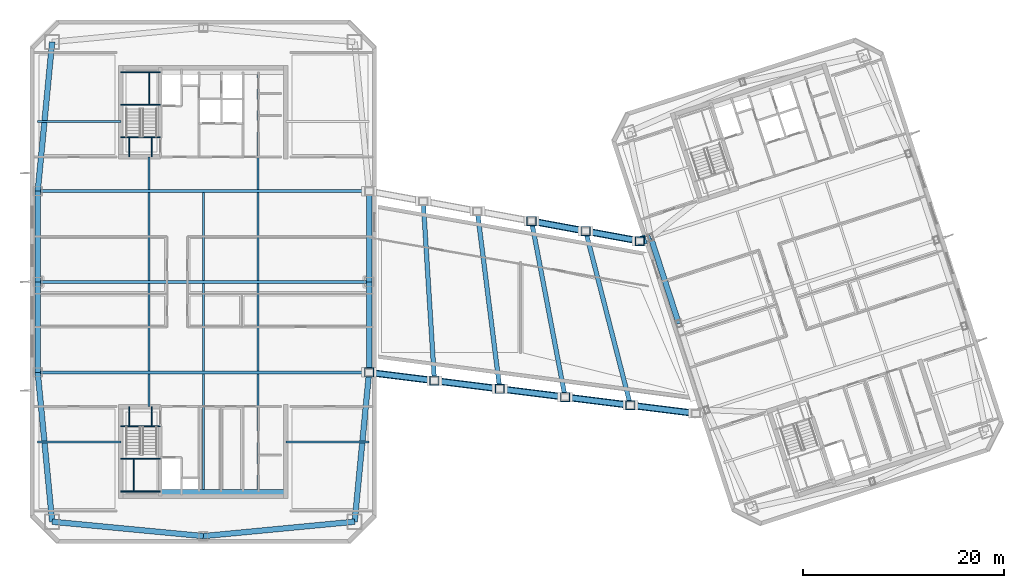
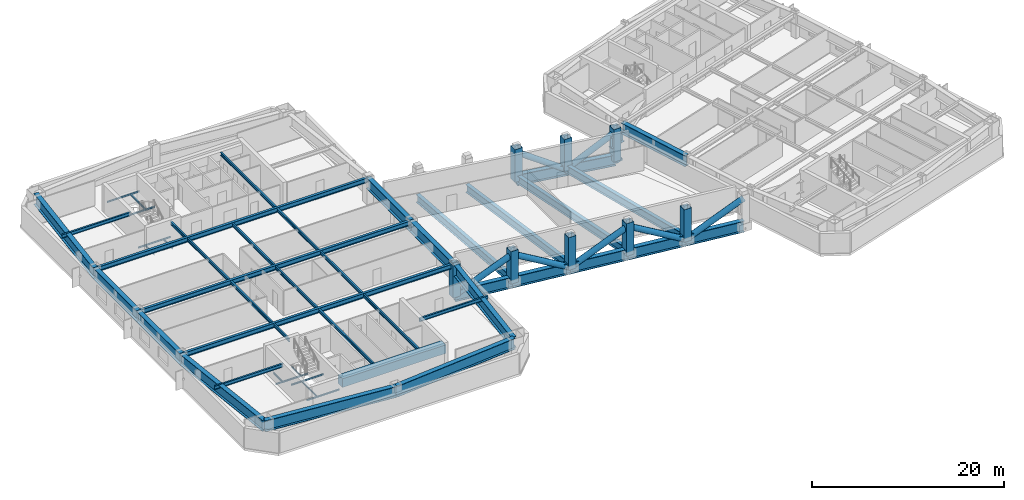
# One storey, part 3 of 19: 52 beams, 16 members.
"""IFC4 building model written with IfcOpenShell, lengths in metres."""

from ifc_helpers import new_model, si_unit, direction, frame, origin, origin_2d, place, context, subcontext, project, spatial, rectangle, hollow_rectangle, hollow_circle, i_section, extrude, material, material_profile, profile_set, type_object, element, save


model = new_model("IFC4")

# Units and contexts
model_context = context("Model", 3, precision=1e-05, world=origin(), true_north=direction((0.0, 1.0)))
body_context = subcontext(model_context, "Body", "Model", "MODEL_VIEW")
ifc_project = project(units=[si_unit("LENGTHUNIT", "METRE"), si_unit("AREAUNIT", "SQUARE_METRE"), si_unit("VOLUMEUNIT", "CUBIC_METRE"), si_unit("PLANEANGLEUNIT", "RADIAN"), si_unit("MASSUNIT", "GRAM", prefix="KILO")], contexts=[model_context])

# Site, building, storey
site_placement = place(None, origin())
site = spatial("IfcSite", under=ifc_project, at=site_placement, CompositionType="ELEMENT")
building_placement = place(site_placement, origin())
building = spatial("IfcBuilding", under=site, at=building_placement, Name="Qiaolan Cultural Towers", CompositionType="ELEMENT")
storey_placement = place(building_placement, frame((0.0, 0.0, 216.199951171875)))
storey = spatial("IfcBuildingStorey", under=building, at=storey_placement, Name="L58", CompositionType="ELEMENT", Elevation=216.199951171875)

# Beams
ifc_material_1 = material(Name="Steel Q390GJB", Category="steel")
ifc_material_profile_1 = material_profile(ifc_material_1, i_section(OverallWidth=0.449951171875, OverallDepth=1.0, WebThickness=0.02392578125, FlangeThickness=0.0400390625, at=origin_2d()), Name="BH1000x450x24x40")
ifc_profile_set_1 = profile_set([ifc_material_profile_1], Name="Steel Q390GJB")
beam_type_1 = type_object("IfcBeamType", Name="BM-BH1000x450x24x40", PredefinedType="BEAM", material=ifc_profile_set_1)
beam_1_placement = place(storey_placement, frame((52.939208984375, 24.185791015625, -0.780029296875), z_axis=(-0.062298281945, 0.998057575527, 0.0), x_axis=(-0.998057575527, -0.062298281945, 0.0)))
element("IfcBeam", 1, at=beam_1_placement, inside=storey, type_object=beam_type_1, Name="L58 Sky Park Transverse Deck Girder 2", PredefinedType="BEAM", context=body_context, shape_type="SweptSolid", body=[
    extrude(i_section(OverallWidth=0.449951171875, OverallDepth=1.0, WebThickness=0.02392578125, FlangeThickness=0.0400390625, at=origin_2d()), origin(), (0.0, 0.0, 1.0), 17.8583984375),
])
beam_2_placement = place(storey_placement, frame((59.42822265625, 23.37158203125, -0.780029296875), z_axis=(-0.125082039773, 0.992146402164, 0.0), x_axis=(-0.992146402164, -0.125082039773, 0.0)))
element("IfcBeam", 2, at=beam_2_placement, inside=storey, type_object=beam_type_1, Name="L58 Sky Park Transverse Deck Girder 3", PredefinedType="BEAM", context=body_context, shape_type="SweptSolid", body=[
    extrude(i_section(OverallWidth=0.449951171875, OverallDepth=1.0, WebThickness=0.02392578125, FlangeThickness=0.0400390625, at=origin_2d()), origin(), (0.0, 0.0, 1.0), 17.787109375),
])
beam_3_placement = place(storey_placement, frame((65.91748046875, 22.557373046875, -0.780029296875), z_axis=(-0.187628005865, 0.982240159745, 0.0), x_axis=(-0.982240159745, -0.187628005865, 0.0)))
element("IfcBeam", 3, at=beam_3_placement, inside=storey, type_object=beam_type_1, Name="L58 Sky Park Transverse Deck Girder 4", PredefinedType="BEAM", context=body_context, shape_type="SweptSolid", body=[
    extrude(i_section(OverallWidth=0.449951171875, OverallDepth=1.0, WebThickness=0.02392578125, FlangeThickness=0.0400390625, at=origin_2d()), origin(), (0.0, 0.0, 1.0), 17.787353515625),
])
beam_4_placement = place(storey_placement, frame((72.406494140625, 21.7431640625, -0.780029296875), z_axis=(-0.249165970578, 0.968460798952, 0.0), x_axis=(-0.968460798952, -0.249165970578, 0.0)))
element("IfcBeam", 4, at=beam_4_placement, inside=storey, type_object=beam_type_1, Name="L58 Sky Park Transverse Deck Girder 5", PredefinedType="BEAM", context=body_context, shape_type="SweptSolid", body=[
    extrude(i_section(OverallWidth=0.449951171875, OverallDepth=1.0, WebThickness=0.02392578125, FlangeThickness=0.0400390625, at=origin_2d()), origin(), (0.0, 0.0, 1.0), 17.8583984375),
])
ifc_material_2 = material(Name="Steel Q420GJB", Category="steel")
ifc_material_profile_2 = material_profile(ifc_material_2, i_section(OverallWidth=0.550048828125, OverallDepth=1.39990234375, WebThickness=0.031982421875, FlangeThickness=0.050048828125, at=origin_2d()), Name="BH1400x550x32x50")
ifc_profile_set_2 = profile_set([ifc_material_profile_2], Name="Steel Q420GJB")
beam_type_2 = type_object("IfcBeamType", Name="BM-BH1400x550x32x50", PredefinedType="BEAM", material=ifc_profile_set_2)
for number, where, z_axis, x_axis, name in (
    (5, (14.97998046875, 10.179931640625, 2.469970703125), (0.995498889995, -0.094773203061, 0.0), (0.094773203061, 0.995498889995, 0.0), "L58 T1 Perimeter Spandrel Beam 1"),
    (6, (30.0, 8.75, 2.469970703125), (0.995498889995, 0.094773203061, 0.0), (-0.094773203061, 0.995498889995, 0.0), "L58 T1 Perimeter Spandrel Beam 2"),
):
    element("IfcBeam", number, at=place(storey_placement, frame(where, z_axis=z_axis, x_axis=x_axis)), inside=storey, type_object=beam_type_2, Name=name, PredefinedType="BEAM", context=body_context, shape_type="SweptSolid", body=[
        extrude(i_section(OverallWidth=0.550048828125, OverallDepth=1.39990234375, WebThickness=0.031982421875, FlangeThickness=0.050048828125, at=origin_2d()), origin(), (0.0, 0.0, 1.0), 15.087890625),
    ])
beam_5_placement = place(storey_placement, frame((45.02001953125, 10.179931640625, 2.469970703125), z_axis=(0.096040159186, 0.995377459974, 0.0), x_axis=(-0.995377459974, 0.096040159186, 0.0)))
element("IfcBeam", 7, at=beam_5_placement, inside=storey, type_object=beam_type_2, Name="L58 T1 Perimeter Spandrel Beam 3", PredefinedType="BEAM", context=body_context, shape_type="SweptSolid", body=[
    extrude(i_section(OverallWidth=0.550048828125, OverallDepth=1.39990234375, WebThickness=0.031982421875, FlangeThickness=0.050048828125, at=origin_2d()), origin(), (0.0, 0.0, 1.0), 14.888916015625),
])
for number, where, z_axis, x_axis, name in (
    (8, (46.449951171875, 25.0, 2.469970703125), (0.0, 1.0, 0.0), (-1.0, 0.0, 0.0), "L58 T1 Perimeter Spandrel Beam 4"),
    (9, (46.449951171875, 34.0, 2.469970703125), (0.0, 1.0, 0.0), (-1.0, 0.0, 0.0), "L58 T1 Perimeter Spandrel Beam 5"),
):
    element("IfcBeam", number, at=place(storey_placement, frame(where, z_axis=z_axis, x_axis=x_axis)), inside=storey, type_object=beam_type_2, Name=name, PredefinedType="BEAM", context=body_context, shape_type="SweptSolid", body=[
        extrude(i_section(OverallWidth=0.550048828125, OverallDepth=1.39990234375, WebThickness=0.031982421875, FlangeThickness=0.050048828125, at=origin_2d()), origin(), (0.0, 0.0, 1.0), 9.0),
    ])
beam_6_placement = place(storey_placement, frame((14.97998046875, 57.820068359375, 2.469970703125), z_axis=(-0.096040159186, -0.995377459974, 0.0), x_axis=(0.995377459974, -0.096040159186, 0.0)))
element("IfcBeam", 10, at=beam_6_placement, inside=storey, type_object=beam_type_2, Name="L58 T1 Perimeter Spandrel Beam 9", PredefinedType="BEAM", context=body_context, shape_type="SweptSolid", body=[
    extrude(i_section(OverallWidth=0.550048828125, OverallDepth=1.39990234375, WebThickness=0.031982421875, FlangeThickness=0.050048828125, at=origin_2d()), origin(), (0.0, 0.0, 1.0), 14.888916015625),
])
for number, where, z_axis, x_axis, name in (
    (11, (13.550048828125, 43.0, 2.469970703125), (0.0, -1.0, 0.0), (1.0, 0.0, 0.0), "L58 T1 Perimeter Spandrel Beam 10"),
    (12, (13.550048828125, 34.0, 2.469970703125), (0.0, -1.0, 0.0), (1.0, 0.0, 0.0), "L58 T1 Perimeter Spandrel Beam 11"),
):
    element("IfcBeam", number, at=place(storey_placement, frame(where, z_axis=z_axis, x_axis=x_axis)), inside=storey, type_object=beam_type_2, Name=name, PredefinedType="BEAM", context=body_context, shape_type="SweptSolid", body=[
        extrude(i_section(OverallWidth=0.550048828125, OverallDepth=1.39990234375, WebThickness=0.031982421875, FlangeThickness=0.050048828125, at=origin_2d()), origin(), (0.0, 0.0, 1.0), 9.0),
    ])
beam_7_placement = place(storey_placement, frame((13.550048828125, 25.0, 2.469970703125), z_axis=(0.096040159186, -0.995377459974, 0.0), x_axis=(0.995377459974, 0.096040159186, 0.0)))
element("IfcBeam", 13, at=beam_7_placement, inside=storey, type_object=beam_type_2, Name="L58 T1 Perimeter Spandrel Beam 12", PredefinedType="BEAM", context=body_context, shape_type="SweptSolid", body=[
    extrude(i_section(OverallWidth=0.550048828125, OverallDepth=1.39990234375, WebThickness=0.031982421875, FlangeThickness=0.050048828125, at=origin_2d()), origin(), (0.0, 0.0, 1.0), 14.888916015625),
])
beam_8_placement = place(storey_placement, frame((74.42724609375, 38.4033203125, 2.469970703125), z_axis=(0.309000197986, -0.951061973609, 0.0), x_axis=(0.951061973609, 0.309000197986, 0.0)))
element("IfcBeam", 14, at=beam_8_placement, inside=storey, type_object=beam_type_2, Name="L58 T2 Perimeter Spandrel Beam 10", PredefinedType="BEAM", context=body_context, shape_type="SweptSolid", body=[
    extrude(i_section(OverallWidth=0.550048828125, OverallDepth=1.39990234375, WebThickness=0.031982421875, FlangeThickness=0.050048828125, at=origin_2d()), origin(), (0.0, 0.0, 1.0), 9.0),
])
beam_9_placement = place(storey_placement, frame((74.42724609375, 38.4033203125, 1.52001953125), z_axis=(-0.951058615481, -0.309010533671, 0.0), x_axis=(0.309010533671, -0.951058615481, 0.0)))
element("IfcBeam", 15, at=beam_9_placement, inside=storey, type_object=beam_type_2, Name="L58 East Tower Sky Park Upper Bridge Seat Corbel N (1900 mm Seat)", PredefinedType="BEAM", context=body_context, shape_type="SweptSolid", body=[
    extrude(i_section(OverallWidth=0.550048828125, OverallDepth=1.39990234375, WebThickness=0.031982421875, FlangeThickness=0.050048828125, at=origin_2d()), origin(), (0.0, 0.0, 1.0), 1.900146484375),
])
beam_10_placement = place(storey_placement, frame((46.449951171875, 25.0, -0.97998046875), z_axis=(0.99222034022, -0.124494162326, 0.0), x_axis=(0.124494162326, 0.99222034022, 0.0)))
element("IfcBeam", 16, at=beam_10_placement, inside=storey, type_object=beam_type_2, Name="Sky Park S Truss Bottom Chord 1", PredefinedType="BEAM", context=body_context, shape_type="SweptSolid", body=[
    extrude(i_section(OverallWidth=0.550048828125, OverallDepth=1.39990234375, WebThickness=0.031982421875, FlangeThickness=0.050048828125, at=origin_2d()), origin(), (0.0, 0.0, 1.0), 6.5400390625),
])
beam_11_placement = place(storey_placement, frame((52.939208984375, 24.185791015625, -0.97998046875), z_axis=(0.992219761624, -0.124498773657, 0.0), x_axis=(0.124498773657, 0.992219761624, 0.0)))
element("IfcBeam", 17, at=beam_11_placement, inside=storey, type_object=beam_type_2, Name="Sky Park S Truss Bottom Chord 2", PredefinedType="BEAM", context=body_context, shape_type="SweptSolid", body=[
    extrude(i_section(OverallWidth=0.550048828125, OverallDepth=1.39990234375, WebThickness=0.031982421875, FlangeThickness=0.050048828125, at=origin_2d()), origin(), (0.0, 0.0, 1.0), 6.539794921875),
])
beam_12_placement = place(storey_placement, frame((59.42822265625, 23.37158203125, -0.97998046875), z_axis=(0.99222034022, -0.124494162326, 0.0), x_axis=(0.124494162326, 0.99222034022, 0.0)))
element("IfcBeam", 18, at=beam_12_placement, inside=storey, type_object=beam_type_2, Name="Sky Park S Truss Bottom Chord 3", PredefinedType="BEAM", context=body_context, shape_type="SweptSolid", body=[
    extrude(i_section(OverallWidth=0.550048828125, OverallDepth=1.39990234375, WebThickness=0.031982421875, FlangeThickness=0.050048828125, at=origin_2d()), origin(), (0.0, 0.0, 1.0), 6.5400390625),
])
beam_13_placement = place(storey_placement, frame((65.91748046875, 22.557373046875, -0.97998046875), z_axis=(0.992219761624, -0.124498773657, 0.0), x_axis=(0.124498773657, 0.992219761624, 0.0)))
element("IfcBeam", 19, at=beam_13_placement, inside=storey, type_object=beam_type_2, Name="Sky Park S Truss Bottom Chord 4", PredefinedType="BEAM", context=body_context, shape_type="SweptSolid", body=[
    extrude(i_section(OverallWidth=0.550048828125, OverallDepth=1.39990234375, WebThickness=0.031982421875, FlangeThickness=0.050048828125, at=origin_2d()), origin(), (0.0, 0.0, 1.0), 6.539794921875),
])
beam_14_placement = place(storey_placement, frame((72.406494140625, 21.7431640625, -0.97998046875), z_axis=(0.99222034022, -0.124494162326, 0.0), x_axis=(0.124494162326, 0.99222034022, 0.0)))
element("IfcBeam", 20, at=beam_14_placement, inside=storey, type_object=beam_type_2, Name="Sky Park S Truss Bottom Chord 5", PredefinedType="BEAM", context=body_context, shape_type="SweptSolid", body=[
    extrude(i_section(OverallWidth=0.550048828125, OverallDepth=1.39990234375, WebThickness=0.031982421875, FlangeThickness=0.050048828125, at=origin_2d()), origin(), (0.0, 0.0, 1.0), 6.5400390625),
])
for number, where, z_axis, x_axis, name in (
    (21, (62.580078125, 40.02880859375, -0.97998046875), (0.983452141721, -0.181168112381, 0.0), (0.181168112381, 0.983452141721, 0.0), "Sky Park N Truss Bottom Chord 4"),
    (22, (67.956787109375, 39.038330078125, -0.97998046875), (0.983452141721, -0.181168112381, 0.0), (0.181168112381, 0.983452141721, 0.0), "Sky Park N Truss Bottom Chord 5"),
):
    element("IfcBeam", number, at=place(storey_placement, frame(where, z_axis=z_axis, x_axis=x_axis)), inside=storey, type_object=beam_type_2, Name=name, PredefinedType="BEAM", context=body_context, shape_type="SweptSolid", body=[
        extrude(i_section(OverallWidth=0.550048828125, OverallDepth=1.39990234375, WebThickness=0.031982421875, FlangeThickness=0.050048828125, at=origin_2d()), origin(), (0.0, 0.0, 1.0), 5.46728515625),
    ])
ifc_material_3 = material(Name="Steel Q355B", Category="steel")
ifc_material_profile_3 = material_profile(ifc_material_3, i_section(OverallWidth=0.300048828125, OverallDepth=0.587890625, WebThickness=0.011962890625, FlangeThickness=0.02001953125, at=origin_2d()), Name="HM588x300x12x20")
ifc_profile_set_3 = profile_set([ifc_material_profile_3], Name="Steel Q355B")
beam_type_3 = type_object("IfcBeamType", Name="BM-HM588x300x12x20", PredefinedType="BEAM", material=ifc_profile_set_3)
for number, where, z_axis, x_axis, name in (
    (23, (13.550048828125, 25.0, 2.8759765625), (1.0, 0.0, 0.0), (0.0, 1.0, 0.0), "L58 T1 Primary Transverse Girder V1"),
    (24, (13.550048828125, 34.0, 2.8759765625), (1.0, 0.0, 0.0), (0.0, 1.0, 0.0), "L58 T1 Primary Transverse Girder V2"),
    (25, (13.550048828125, 43.0, 2.8759765625), (1.0, 0.0, 0.0), (0.0, 1.0, 0.0), "L58 T1 Primary Transverse Girder V3"),
):
    element("IfcBeam", number, at=place(storey_placement, frame(where, z_axis=z_axis, x_axis=x_axis)), inside=storey, type_object=beam_type_3, Name=name, PredefinedType="BEAM", context=body_context, shape_type="SweptSolid", body=[
        extrude(i_section(OverallWidth=0.300048828125, OverallDepth=0.587890625, WebThickness=0.011962890625, FlangeThickness=0.02001953125, at=origin_2d()), origin(), (0.0, 0.0, 1.0), 32.89990234375),
    ])
ifc_material_4 = material(Name="Steel Q355B", Category="steel")
ifc_material_profile_4 = material_profile(ifc_material_4, i_section(OverallWidth=0.199951171875, OverallDepth=0.39990234375, WebThickness=0.008056640625, FlangeThickness=0.012939453125, at=origin_2d()), Name="HN400x200x8x13")
ifc_profile_set_4 = profile_set([ifc_material_profile_4], Name="Steel Q355B")
beam_type_4 = type_object("IfcBeamType", Name="BM-JST-HN400x200x8x13", PredefinedType="JOIST", material=ifc_profile_set_4)
beam_15_placement = place(storey_placement, frame((24.60009765625, 21.60009765625, 2.969970703125), z_axis=(0.0, 1.0, 0.0), x_axis=(-1.0, 0.0, 0.0)))
element("IfcBeam", 26, at=beam_15_placement, inside=storey, type_object=beam_type_4, Name="L58 T1 Secondary Floor Joist U1-1", PredefinedType="JOIST", context=body_context, shape_type="SweptSolid", body=[
    extrude(i_section(OverallWidth=0.199951171875, OverallDepth=0.39990234375, WebThickness=0.008056640625, FlangeThickness=0.012939453125, at=origin_2d()), origin(), (0.0, 0.0, 1.0), 3.25),
])
for number, where, z_axis, x_axis, name in (
    (27, (24.60009765625, 25.14990234375, 2.969970703125), (0.0, 1.0, 0.0), (-1.0, 0.0, 0.0), "L58 T1 Secondary Floor Joist U1-2"),
    (28, (24.60009765625, 34.14990234375, 2.969970703125), (0.0, 1.0, 0.0), (-1.0, 0.0, 0.0), "L58 T1 Secondary Floor Joist U1-3"),
):
    element("IfcBeam", number, at=place(storey_placement, frame(where, z_axis=z_axis, x_axis=x_axis)), inside=storey, type_object=beam_type_4, Name=name, PredefinedType="JOIST", context=body_context, shape_type="SweptSolid", body=[
        extrude(i_section(OverallWidth=0.199951171875, OverallDepth=0.39990234375, WebThickness=0.008056640625, FlangeThickness=0.012939453125, at=origin_2d()), origin(), (0.0, 0.0, 1.0), 8.7001953125),
    ])
beam_16_placement = place(storey_placement, frame((24.60009765625, 43.14990234375, 2.969970703125), z_axis=(0.0, 1.0, 0.0), x_axis=(-1.0, 0.0, 0.0)))
element("IfcBeam", 29, at=beam_16_placement, inside=storey, type_object=beam_type_4, Name="L58 T1 Secondary Floor Joist U1-4", PredefinedType="JOIST", context=body_context, shape_type="SweptSolid", body=[
    extrude(i_section(OverallWidth=0.199951171875, OverallDepth=0.39990234375, WebThickness=0.008056640625, FlangeThickness=0.012939453125, at=origin_2d()), origin(), (0.0, 0.0, 1.0), 3.25),
])
beam_17_placement = place(storey_placement, frame((30.0, 13.39990234375, 2.969970703125), z_axis=(0.0, 1.0, 0.0), x_axis=(-1.0, 0.0, 0.0)))
element("IfcBeam", 30, at=beam_17_placement, inside=storey, type_object=beam_type_4, Name="L58 T1 Secondary Floor Joist U2-1", PredefinedType="JOIST", context=body_context, shape_type="SweptSolid", body=[
    extrude(i_section(OverallWidth=0.199951171875, OverallDepth=0.39990234375, WebThickness=0.008056640625, FlangeThickness=0.012939453125, at=origin_2d()), origin(), (0.0, 0.0, 1.0), 11.4501953125),
])
for number, where, z_axis, x_axis, name in (
    (31, (30.0, 25.14990234375, 2.969970703125), (0.0, 1.0, 0.0), (-1.0, 0.0, 0.0), "L58 T1 Secondary Floor Joist U2-2"),
    (32, (30.0, 34.14990234375, 2.969970703125), (0.0, 1.0, 0.0), (-1.0, 0.0, 0.0), "L58 T1 Secondary Floor Joist U2-3"),
):
    element("IfcBeam", number, at=place(storey_placement, frame(where, z_axis=z_axis, x_axis=x_axis)), inside=storey, type_object=beam_type_4, Name=name, PredefinedType="JOIST", context=body_context, shape_type="SweptSolid", body=[
        extrude(i_section(OverallWidth=0.199951171875, OverallDepth=0.39990234375, WebThickness=0.008056640625, FlangeThickness=0.012939453125, at=origin_2d()), origin(), (0.0, 0.0, 1.0), 8.7001953125),
    ])
beam_18_placement = place(storey_placement, frame((35.39990234375, 13.39990234375, 2.969970703125), z_axis=(0.0, 1.0, 0.0), x_axis=(-1.0, 0.0, 0.0)))
element("IfcBeam", 33, at=beam_18_placement, inside=storey, type_object=beam_type_4, Name="L58 T1 Secondary Floor Joist U3-1", PredefinedType="JOIST", context=body_context, shape_type="SweptSolid", body=[
    extrude(i_section(OverallWidth=0.199951171875, OverallDepth=0.39990234375, WebThickness=0.008056640625, FlangeThickness=0.012939453125, at=origin_2d()), origin(), (0.0, 0.0, 1.0), 11.4501953125),
])
for number, where, z_axis, x_axis, name in (
    (34, (35.39990234375, 25.14990234375, 2.969970703125), (0.0, 1.0, 0.0), (-1.0, 0.0, 0.0), "L58 T1 Secondary Floor Joist U3-2"),
    (35, (35.39990234375, 34.14990234375, 2.969970703125), (0.0, 1.0, 0.0), (-1.0, 0.0, 0.0), "L58 T1 Secondary Floor Joist U3-3"),
):
    element("IfcBeam", number, at=place(storey_placement, frame(where, z_axis=z_axis, x_axis=x_axis)), inside=storey, type_object=beam_type_4, Name=name, PredefinedType="JOIST", context=body_context, shape_type="SweptSolid", body=[
        extrude(i_section(OverallWidth=0.199951171875, OverallDepth=0.39990234375, WebThickness=0.008056640625, FlangeThickness=0.012939453125, at=origin_2d()), origin(), (0.0, 0.0, 1.0), 8.7001953125),
    ])
beam_19_placement = place(storey_placement, frame((35.39990234375, 43.14990234375, 2.969970703125), z_axis=(0.0, 1.0, 0.0), x_axis=(-1.0, 0.0, 0.0)))
element("IfcBeam", 36, at=beam_19_placement, inside=storey, type_object=beam_type_4, Name="L58 T1 Secondary Floor Joist U3-4", PredefinedType="JOIST", context=body_context, shape_type="SweptSolid", body=[
    extrude(i_section(OverallWidth=0.199951171875, OverallDepth=0.39990234375, WebThickness=0.008056640625, FlangeThickness=0.012939453125, at=origin_2d()), origin(), (0.0, 0.0, 1.0), 11.4501953125),
])
ifc_material_5 = material(Name="Steel Q355B", Category="steel")
ifc_material_profile_5 = material_profile(ifc_material_5, i_section(OverallWidth=0.199951171875, OverallDepth=0.449951171875, WebThickness=0.009033203125, FlangeThickness=0.013916015625, at=origin_2d()), Name="HN450x200x9x14")
ifc_profile_set_5 = profile_set([ifc_material_profile_5], Name="Steel Q355B")
beam_type_5 = type_object("IfcBeamType", Name="BM-LNT-HN450x200x9x14", PredefinedType="LINTEL", material=ifc_profile_set_5)
for number, where, z_axis, x_axis, name in (
    (37, (21.800048828125, 18.10009765625, 2.945068359375), (-1.0, 0.0, 0.0), (0.0, -1.0, 0.0), "L58 T1 Core Flank Tie Lintel WS"),
    (38, (21.800048828125, 49.89990234375, 2.945068359375), (-1.0, 0.0, 0.0), (0.0, -1.0, 0.0), "L58 T1 Core Flank Tie Lintel WN"),
    (39, (38.199951171875, 18.10009765625, 2.945068359375), (1.0, 0.0, 0.0), (0.0, 1.0, 0.0), "L58 T1 Core Flank Tie Lintel ES"),
):
    element("IfcBeam", number, at=place(storey_placement, frame(where, z_axis=z_axis, x_axis=x_axis)), inside=storey, type_object=beam_type_5, Name=name, PredefinedType="LINTEL", context=body_context, shape_type="SweptSolid", body=[
        extrude(i_section(OverallWidth=0.199951171875, OverallDepth=0.449951171875, WebThickness=0.009033203125, FlangeThickness=0.013916015625, at=origin_2d()), origin(), (0.0, 0.0, 1.0), 8.25),
    ])
ifc_material_6 = material(Name="Concrete C50", Category="concrete")
ifc_material_profile_6 = material_profile(ifc_material_6, rectangle(XDim=0.89990234375, YDim=1.10009765625, at=origin_2d()), Name="RC900x1100")
ifc_profile_set_6 = profile_set([ifc_material_profile_6], Name="Concrete C50")
beam_type_6 = type_object("IfcBeamType", Name="BM-RC900x1100", PredefinedType="BEAM", material=ifc_profile_set_6)
beam_20_placement = place(storey_placement, frame((25.719970703125, 12.949951171875, 2.6201171875), z_axis=(1.0, 0.0, 0.0), x_axis=(0.0, 1.0, 0.0)))
element("IfcBeam", 40, at=beam_20_placement, inside=storey, type_object=beam_type_6, Name="L58 T1 Core Header Girder S", PredefinedType="BEAM", context=body_context, shape_type="SweptSolid", body=[
    extrude(rectangle(XDim=0.89990234375, YDim=1.10009765625, at=origin_2d()), origin(), (0.0, 0.0, 1.0), 12.47998046875),
])
ifc_material_7 = material(Name="Steel Q355B", Category="steel")
ifc_material_profile_7 = material_profile(ifc_material_7, i_section(OverallWidth=0.10009765625, OverallDepth=0.199951171875, WebThickness=0.005615234375, FlangeThickness=0.008056640625, at=origin_2d()), Name="HN200x100x5.5x8")
ifc_profile_set_7 = profile_set([ifc_material_profile_7], Name="Steel Q355B")
beam_type_7 = type_object("IfcBeamType", Name="BM-STTRIM-200", PredefinedType="BEAM", material=ifc_profile_set_7)
beam_21_placement = place(storey_placement, frame((21.800048828125, 19.659912109375, -0.4599609375), z_axis=(1.0, 0.0, 0.0), x_axis=(0.0, 1.0, 0.0)))
element("IfcBeam", 41, at=beam_21_placement, inside=storey, type_object=beam_type_7, Name="L58 ST-W1 Floor Landing Header Beam", PredefinedType="BEAM", context=body_context, shape_type="SweptSolid", body=[
    extrude(i_section(OverallWidth=0.10009765625, OverallDepth=0.199951171875, WebThickness=0.005615234375, FlangeThickness=0.008056640625, at=origin_2d()), origin(), (0.0, 0.0, 1.0), 3.919921875),
])
for number, where, z_axis, x_axis, name in (
    (42, (22.64990234375, 21.60009765625, -0.4599609375), (0.0, -1.0, 0.0), (1.0, 0.0, 0.0), "L58 ST-W1 Floor Landing Stringer 1"),
    (43, (24.85009765625, 21.60009765625, -0.4599609375), (0.0, -1.0, 0.0), (1.0, 0.0, 0.0), "L58 ST-W1 Floor Landing Stringer 2"),
):
    element("IfcBeam", number, at=place(storey_placement, frame(where, z_axis=z_axis, x_axis=x_axis)), inside=storey, type_object=beam_type_7, Name=name, PredefinedType="BEAM", context=body_context, shape_type="SweptSolid", body=[
        extrude(i_section(OverallWidth=0.10009765625, OverallDepth=0.199951171875, WebThickness=0.005615234375, FlangeThickness=0.008056640625, at=origin_2d()), origin(), (0.0, 0.0, 1.0), 1.940185546875),
    ])
for number, where, z_axis, x_axis, name in (
    (44, (21.800048828125, 16.411376953125, 1.425048828125), (1.0, 0.0, 0.0), (0.0, 1.0, 0.0), "L58 ST-W1 Stair Landing Support Beam 1-1"),
    (45, (21.800048828125, 13.179931640625, 1.425048828125), (1.0, 0.0, 0.0), (0.0, 1.0, 0.0), "L58 ST-W1 Stair Landing Support Beam 1-2"),
):
    element("IfcBeam", number, at=place(storey_placement, frame(where, z_axis=z_axis, x_axis=x_axis)), inside=storey, type_object=beam_type_7, Name=name, PredefinedType="BEAM", context=body_context, shape_type="SweptSolid", body=[
        extrude(i_section(OverallWidth=0.10009765625, OverallDepth=0.199951171875, WebThickness=0.005615234375, FlangeThickness=0.008056640625, at=origin_2d()), origin(), (0.0, 0.0, 1.0), 3.919921875),
    ])
beam_22_placement = place(storey_placement, frame((23.070068359375, 16.411376953125, 1.425048828125), z_axis=(0.0, -1.0, 0.0), x_axis=(1.0, 0.0, 0.0)))
element("IfcBeam", 46, at=beam_22_placement, inside=storey, type_object=beam_type_7, Name="L58 ST-W1 Stair Landing Trimmer 1", PredefinedType="BEAM", context=body_context, shape_type="SweptSolid", body=[
    extrude(i_section(OverallWidth=0.10009765625, OverallDepth=0.199951171875, WebThickness=0.005615234375, FlangeThickness=0.008056640625, at=origin_2d()), origin(), (0.0, 0.0, 1.0), 3.2314453125),
])
beam_23_placement = place(storey_placement, frame((21.800048828125, 48.340087890625, -0.4599609375), z_axis=(1.0, 0.0, 0.0), x_axis=(0.0, 1.0, 0.0)))
element("IfcBeam", 47, at=beam_23_placement, inside=storey, type_object=beam_type_7, Name="L58 ST-W2 Floor Landing Header Beam", PredefinedType="BEAM", context=body_context, shape_type="SweptSolid", body=[
    extrude(i_section(OverallWidth=0.10009765625, OverallDepth=0.199951171875, WebThickness=0.005615234375, FlangeThickness=0.008056640625, at=origin_2d()), origin(), (0.0, 0.0, 1.0), 3.919921875),
])
for number, where, z_axis, x_axis, name in (
    (48, (22.64990234375, 46.39990234375, -0.4599609375), (0.0, 1.0, 0.0), (-1.0, 0.0, 0.0), "L58 ST-W2 Floor Landing Stringer 1"),
    (49, (24.85009765625, 46.39990234375, -0.4599609375), (0.0, 1.0, 0.0), (-1.0, 0.0, 0.0), "L58 ST-W2 Floor Landing Stringer 2"),
):
    element("IfcBeam", number, at=place(storey_placement, frame(where, z_axis=z_axis, x_axis=x_axis)), inside=storey, type_object=beam_type_7, Name=name, PredefinedType="BEAM", context=body_context, shape_type="SweptSolid", body=[
        extrude(i_section(OverallWidth=0.10009765625, OverallDepth=0.199951171875, WebThickness=0.005615234375, FlangeThickness=0.008056640625, at=origin_2d()), origin(), (0.0, 0.0, 1.0), 1.940185546875),
    ])
for number, where, z_axis, x_axis, name in (
    (50, (21.800048828125, 51.588623046875, 1.425048828125), (1.0, 0.0, 0.0), (0.0, 1.0, 0.0), "L58 ST-W2 Stair Landing Support Beam 1-1"),
    (51, (21.800048828125, 54.820068359375, 1.425048828125), (1.0, 0.0, 0.0), (0.0, 1.0, 0.0), "L58 ST-W2 Stair Landing Support Beam 1-2"),
):
    element("IfcBeam", number, at=place(storey_placement, frame(where, z_axis=z_axis, x_axis=x_axis)), inside=storey, type_object=beam_type_7, Name=name, PredefinedType="BEAM", context=body_context, shape_type="SweptSolid", body=[
        extrude(i_section(OverallWidth=0.10009765625, OverallDepth=0.199951171875, WebThickness=0.005615234375, FlangeThickness=0.008056640625, at=origin_2d()), origin(), (0.0, 0.0, 1.0), 3.919921875),
    ])
beam_24_placement = place(storey_placement, frame((24.610107421875, 51.588623046875, 1.425048828125), z_axis=(0.0, 1.0, 0.0), x_axis=(-1.0, 0.0, 0.0)))
element("IfcBeam", 52, at=beam_24_placement, inside=storey, type_object=beam_type_7, Name="L58 ST-W2 Stair Landing Trimmer 1", PredefinedType="BEAM", context=body_context, shape_type="SweptSolid", body=[
    extrude(i_section(OverallWidth=0.10009765625, OverallDepth=0.199951171875, WebThickness=0.005615234375, FlangeThickness=0.008056640625, at=origin_2d()), origin(), (0.0, 0.0, 1.0), 3.2314453125),
])

# Members
ifc_material_8 = material(Name="Steel Q355B", Category="steel")
ifc_material_profile_8 = material_profile(ifc_material_8, rectangle(XDim=0.89990234375, YDim=0.25, at=origin_2d()), Name="SPH-BRG-900x900")
ifc_profile_set_8 = profile_set([ifc_material_profile_8], Name="Steel Q355B")
member_type_1 = type_object("IfcMemberType", Name="BRG-SLIDE-SPH", PredefinedType="USERDEFINED", material=ifc_profile_set_8)
member_1_placement = place(storey_placement, frame((73.95166015625, 38.248779296875, -1.10498046875), z_axis=(-0.951069945308, -0.308975661068, 0.0), x_axis=(0.308975661068, -0.951069945308, 0.0)))
element("IfcMember", 53, at=member_1_placement, inside=storey, type_object=member_type_1, Name="Sky Park Bidirectional Sliding Spherical Bearing BRG-SL1-N", ObjectType="BEARING", PredefinedType="USERDEFINED", context=body_context, shape_type="SweptSolid", body=[
    extrude(rectangle(XDim=0.89990234375, YDim=0.25, at=origin_2d()), origin(), (0.0, 0.0, 1.0), 0.89990234375),
])
ifc_material_9 = material(Name="Steel Q355B", Category="steel")
ifc_material_profile_9 = material_profile(ifc_material_9, hollow_circle(Radius=0.35009765625, WallThickness=0.034912109375, at=origin_2d()), Name="CHS700x35")
ifc_profile_set_9 = profile_set([ifc_material_profile_9], Name="Steel Q355B")
member_type_2 = type_object("IfcMemberType", Name="MBR-BRC-CHS700x35", PredefinedType="BRACE", material=ifc_profile_set_9)
member_2_placement = place(storey_placement, frame((46.449951171875, 25.0, -0.97998046875), z_axis=(0.877603574812, -0.110113164861, 0.466569455067), x_axis=(0.124494162326, 0.99222034022, 0.0)))
element("IfcMember", 54, at=member_2_placement, inside=storey, type_object=member_type_2, Name="Sky Park S Truss Diagonal 1", PredefinedType="BRACE", context=body_context, shape_type="SweptSolid", body=[
    extrude(hollow_circle(Radius=0.35009765625, WallThickness=0.034912109375, at=origin_2d()), origin(), (0.0, 0.0, 1.0), 7.394287109375),
])
member_3_placement = place(storey_placement, frame((52.939208984375, 24.185791015625, 2.469970703125), z_axis=(0.877595986679, -0.110116355603, -0.466582974821), x_axis=(0.124498773657, 0.992219761624, 0.0)))
element("IfcMember", 55, at=member_3_placement, inside=storey, type_object=member_type_2, Name="Sky Park S Truss Diagonal 2", PredefinedType="BRACE", context=body_context, shape_type="SweptSolid", body=[
    extrude(hollow_circle(Radius=0.35009765625, WallThickness=0.034912109375, at=origin_2d()), origin(), (0.0, 0.0, 1.0), 7.39404296875),
])
member_4_placement = place(storey_placement, frame((59.42822265625, 23.37158203125, -0.97998046875), z_axis=(0.877603574812, -0.110113164861, 0.466569455067), x_axis=(0.124494162326, 0.99222034022, 0.0)))
element("IfcMember", 56, at=member_4_placement, inside=storey, type_object=member_type_2, Name="Sky Park S Truss Diagonal 3", PredefinedType="BRACE", context=body_context, shape_type="SweptSolid", body=[
    extrude(hollow_circle(Radius=0.35009765625, WallThickness=0.034912109375, at=origin_2d()), origin(), (0.0, 0.0, 1.0), 7.394287109375),
])
member_5_placement = place(storey_placement, frame((65.91748046875, 22.557373046875, 2.469970703125), z_axis=(0.877595986679, -0.110116355603, -0.466582974821), x_axis=(0.124498773657, 0.992219761624, 0.0)))
element("IfcMember", 57, at=member_5_placement, inside=storey, type_object=member_type_2, Name="Sky Park S Truss Diagonal 4", PredefinedType="BRACE", context=body_context, shape_type="SweptSolid", body=[
    extrude(hollow_circle(Radius=0.35009765625, WallThickness=0.034912109375, at=origin_2d()), origin(), (0.0, 0.0, 1.0), 7.39404296875),
])
member_6_placement = place(storey_placement, frame((72.406494140625, 21.7431640625, -0.97998046875), z_axis=(0.877603574812, -0.110113164861, 0.466569455067), x_axis=(0.124494162326, 0.99222034022, 0.0)))
element("IfcMember", 58, at=member_6_placement, inside=storey, type_object=member_type_2, Name="Sky Park S Truss Diagonal 5", PredefinedType="BRACE", context=body_context, shape_type="SweptSolid", body=[
    extrude(hollow_circle(Radius=0.35009765625, WallThickness=0.034912109375, at=origin_2d()), origin(), (0.0, 0.0, 1.0), 7.394287109375),
])
for number, where, z_axis, x_axis, name in (
    (59, (62.580078125, 40.02880859375, 2.469970703125), (0.831704134843, -0.15321362553, -0.533660769626), (0.181168112381, 0.983452141721, 0.0), "Sky Park N Truss Diagonal 4"),
    (60, (67.956787109375, 39.038330078125, -0.97998046875), (0.831704134843, -0.15321362553, 0.533660769626), (0.181168112381, 0.983452141721, 0.0), "Sky Park N Truss Diagonal 5"),
):
    element("IfcMember", number, at=place(storey_placement, frame(where, z_axis=z_axis, x_axis=x_axis)), inside=storey, type_object=member_type_2, Name=name, PredefinedType="BRACE", context=body_context, shape_type="SweptSolid", body=[
        extrude(hollow_circle(Radius=0.35009765625, WallThickness=0.034912109375, at=origin_2d()), origin(), (0.0, 0.0, 1.0), 6.464599609375),
    ])
ifc_material_10 = material(Name="Steel Q355B", Category="steel")
ifc_material_profile_10 = material_profile(ifc_material_10, hollow_rectangle(XDim=0.89990234375, YDim=0.89990234375, WallThickness=0.031982421875, at=origin_2d()), Name="BOX900x900x32")
ifc_profile_set_10 = profile_set([ifc_material_profile_10], Name="Steel Q355B")
member_type_3 = type_object("IfcMemberType", Name="MBR-POST-BOX900x900x32", PredefinedType="STUD", material=ifc_profile_set_10)
for number, where, z_axis, x_axis, name in (
    (61, (46.449951171875, 25.0, -0.97998046875), (0.0, 0.0, 1.0), (1.0, 0.0, 0.0), "Sky Park S Truss Vertical Post 1"),
    (62, (52.939208984375, 24.185791015625, -0.97998046875), (0.0, 0.0, 1.0), (1.0, 0.0, 0.0), "Sky Park S Truss Vertical Post 2"),
    (63, (59.42822265625, 23.37158203125, -0.97998046875), (0.0, 0.0, 1.0), (1.0, 0.0, 0.0), "Sky Park S Truss Vertical Post 3"),
    (64, (65.91748046875, 22.557373046875, -0.97998046875), (0.0, 0.0, 1.0), (1.0, 0.0, 0.0), "Sky Park S Truss Vertical Post 4"),
    (65, (72.406494140625, 21.7431640625, -0.97998046875), (0.0, 0.0, 1.0), (1.0, 0.0, 0.0), "Sky Park S Truss Vertical Post 5"),
    (66, (62.580078125, 40.02880859375, -0.97998046875), (0.0, 0.0, 1.0), (1.0, 0.0, 0.0), "Sky Park N Truss Vertical Post 4"),
    (67, (67.956787109375, 39.038330078125, -0.97998046875), (0.0, 0.0, 1.0), (1.0, 0.0, 0.0), "Sky Park N Truss Vertical Post 5"),
    (68, (73.33349609375, 38.0478515625, -0.97998046875), (0.0, 0.0, 1.0), (1.0, 0.0, 0.0), "Sky Park N Truss Vertical Post 6"),
):
    element("IfcMember", number, at=place(storey_placement, frame(where, z_axis=z_axis, x_axis=x_axis)), inside=storey, type_object=member_type_3, Name=name, PredefinedType="STUD", context=body_context, shape_type="SweptSolid", body=[
        extrude(hollow_rectangle(XDim=0.89990234375, YDim=0.89990234375, WallThickness=0.031982421875, at=origin_2d()), origin(), (0.0, 0.0, 1.0), 4.150146484375),
    ])

save(model, "model.ifc")
